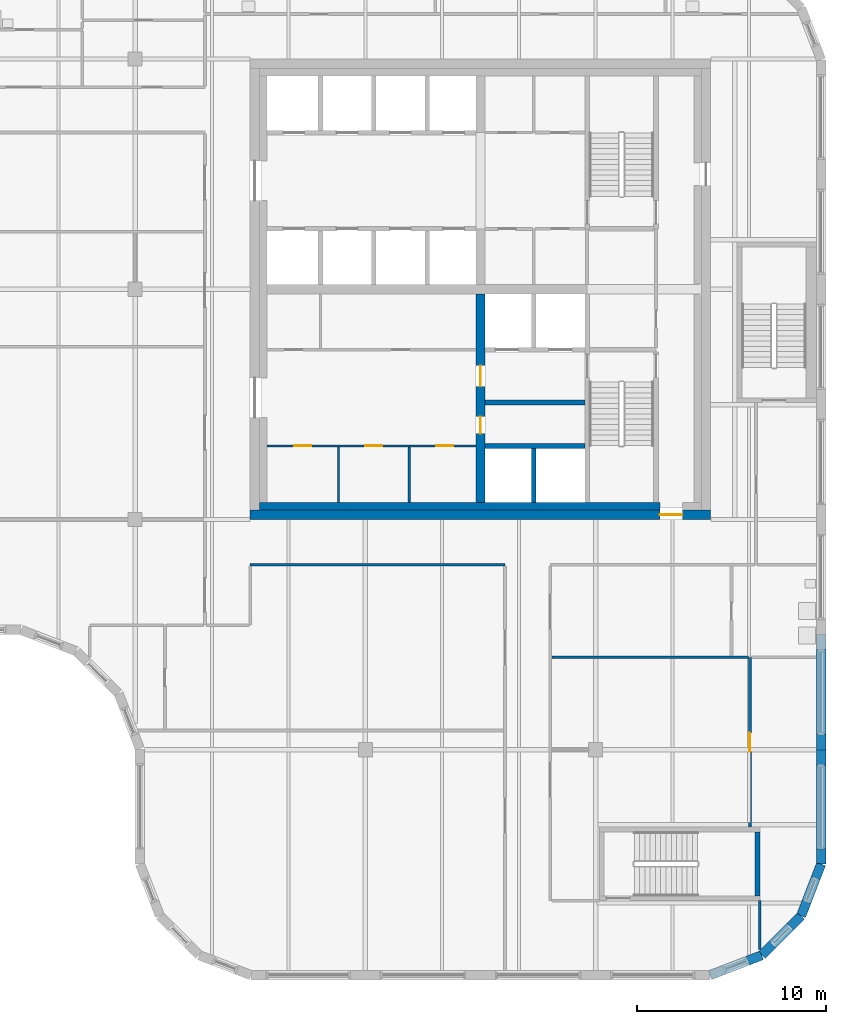
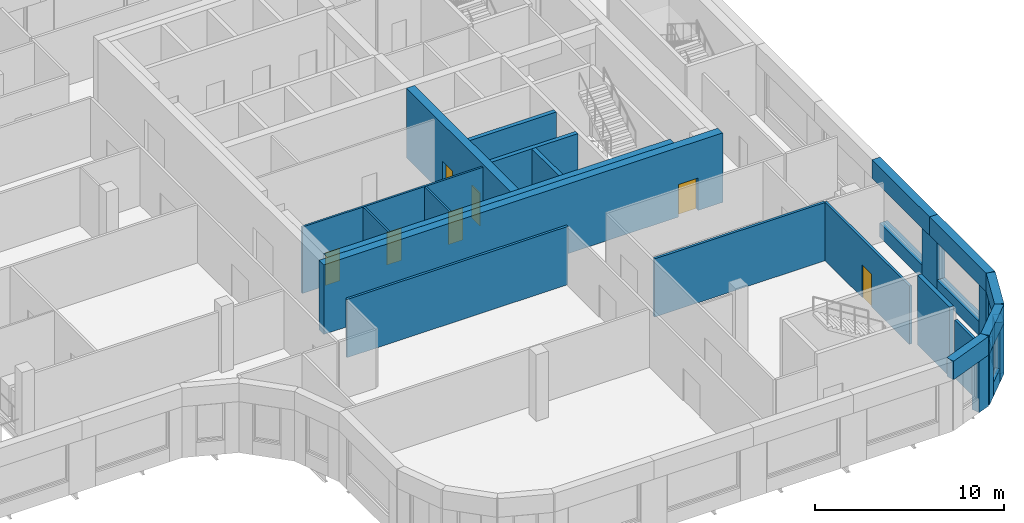
# One storey, part 12 of 21: 30 walls, 7 doors, 7 openings.
"""IFC4 building model written with IfcOpenShell, lengths in metres."""

from ifc_helpers import new_model, si_unit, direction, frame, frame_2d, origin, place, context, subcontext, project, spatial, polyline, rectangle, outline, extrude, faceted_brep, source, transform, mapped, material, layer, layer_set, type_object, element, fill, save


model = new_model("IFC4")

# Units and contexts
model_context = context("Model", 3, precision=1e-05, world=origin(), true_north=direction((0.0, 1.0)))
body_context = subcontext(model_context, "Body", "Model", "MODEL_VIEW")
ifc_project = project(units=[si_unit("LENGTHUNIT", "METRE"), si_unit("AREAUNIT", "SQUARE_METRE"), si_unit("VOLUMEUNIT", "CUBIC_METRE"), si_unit("PLANEANGLEUNIT", "RADIAN"), si_unit("MASSUNIT", "GRAM", prefix="KILO")], contexts=[model_context])

# Site, building, storey
site_placement = place(None, origin())
site = spatial("IfcSite", under=ifc_project, at=site_placement, CompositionType="ELEMENT")
building_placement = place(site_placement, origin())
building = spatial("IfcBuilding", under=site, at=building_placement, Name="Tessera Gate Towers", CompositionType="ELEMENT")
storey_placement = place(building_placement, frame((0.0, 0.0, 193.39990234375)))
storey = spatial("IfcBuildingStorey", under=building, at=storey_placement, Name="L48", CompositionType="ELEMENT", Elevation=193.39990234375)

# Walls
ifc_material_1 = material(Name="Concrete C40/50", Category="concrete")
ifc_layer_1 = layer(ifc_material_1, 0.25)
ifc_layer_set_1 = layer_set([ifc_layer_1], Name="CORE ENCLOSURE WALL 250")
wall_type_1 = type_object("IfcWallType", Name="CORE ENCLOSURE WALL 250", PredefinedType="SOLIDWALL", material=ifc_layer_set_1)
for number, where, z_axis, x_axis, name in (
    (1, (42.949951171875, 28.300048828125, 0.0), (0.0, 0.0, 1.0), (1.0, 0.0, 0.0), "L48 shaft and stair enclosure wall"),
    (2, (42.949951171875, 30.60009765625, 0.0), (0.0, 0.0, 1.0), (1.0, 0.0, 0.0), "L48 shaft and stair enclosure wall"),
):
    element("IfcWall", number, at=place(storey_placement, frame(where, z_axis=z_axis, x_axis=x_axis)), inside=storey, type_object=wall_type_1, Name=name, PredefinedType="SOLIDWALL", context=body_context, shape_type="SweptSolid", body=[
        extrude(rectangle(XDim=5.275146484375, YDim=0.25, at=frame_2d((2.6376953125, 0.0))), origin(), (0.0, 0.0, 1.0), 4.5),
    ])
wall_1_placement = place(storey_placement, frame((45.52490234375, 25.300048828125, 0.0), z_axis=(0.0, 0.0, 1.0), x_axis=(0.0, 1.0, 0.0)))
element("IfcWall", 3, at=wall_1_placement, inside=storey, type_object=wall_type_1, Name="L48 shaft and stair enclosure wall", PredefinedType="SOLIDWALL", context=body_context, shape_type="SweptSolid", body=[
    extrude(rectangle(XDim=2.875, YDim=0.25, at=frame_2d((1.4375, 0.0))), origin(), (0.0, 0.0, 1.0), 4.5),
])
wall_2_placement = place(storey_placement, frame((57.375, 7.85009765625, 0.0), z_axis=(0.0, 0.0, 1.0), x_axis=(0.0, -1.0, 0.0)))
element("IfcWall", 4, at=wall_2_placement, inside=storey, type_object=wall_type_1, Name="L48 ST4 enclosure wall", PredefinedType="SOLIDWALL", context=body_context, shape_type="SweptSolid", body=[
    extrude(rectangle(XDim=3.400146484375, YDim=0.25, at=frame_2d((1.7001953125, 0.0))), origin(), (0.0, 0.0, 1.0), 4.5),
])

# Wall, openings, doors
ifc_material_2 = material(Name="Gypsum board on steel studs", Category="steel")
ifc_layer_2 = layer(ifc_material_2, 0.1201171875)
ifc_layer_set_2 = layer_set([ifc_layer_2], Name="CORE PARTITION 120")
wall_type_2 = type_object("IfcWallType", Name="CORE PARTITION 120", PredefinedType="PARTITIONING", material=ifc_layer_set_2)
wall_3_placement = place(storey_placement, frame((42.449951171875, 28.300048828125, 0.0), z_axis=(0.0, 0.0, 1.0), x_axis=(-1.0, 0.0, 0.0)))
wall_3 = element("IfcWall", 5, at=wall_3_placement, inside=storey, type_object=wall_type_2, Name="L48 core partition", PredefinedType="PARTITIONING", context=body_context, shape_type="SweptSolid", body=[
    extrude(rectangle(XDim=11.050048828125, YDim=0.1201171875, at=frame_2d((5.52490234375, 0.0))), origin(), (0.0, 0.0, 1.0), 4.300048828125),
])
shared_shape_1 = source(origin(), body_context, "Body", "SweptSolid", [
    extrude(rectangle(XDim=0.89990234375, YDim=2.10009765625, at=frame_2d((0.449951171875, 1.050048828125))), frame((0.0, 0.070068359375, 0.0), z_axis=(0.0, -1.0, 0.0), x_axis=(1.0, 0.0, 0.0)), (0.0, 0.0, 1.0), 0.14013671875),
])
opening_1_placement = place(wall_3_placement, frame((8.71240234375, 0.0, 0.0)))
opening_1 = element("IfcOpeningElement", 6, at=opening_1_placement, cuts=wall_3, Name="Opening RD-T1-30-07", PredefinedType="OPENING", context=body_context, shape_type="MappedRepresentation", body=[
    mapped(shared_shape_1, transform((0.0, 0.0, 0.0), scale=1.0)),
])
opening_2_placement = place(wall_3_placement, frame((4.949951171875, 0.0, 0.0)))
opening_2 = element("IfcOpeningElement", 7, at=opening_2_placement, cuts=wall_3, Name="Opening RD-T1-30-08", PredefinedType="OPENING", context=body_context, shape_type="MappedRepresentation", body=[
    mapped(shared_shape_1, transform((0.0, 0.0, 0.0), scale=1.0)),
])
opening_3_placement = place(wall_3_placement, frame((1.1875, 0.0, 0.0)))
opening_3 = element("IfcOpeningElement", 8, at=opening_3_placement, cuts=wall_3, Name="Opening RD-T1-30-09", PredefinedType="OPENING", context=body_context, shape_type="MappedRepresentation", body=[
    mapped(shared_shape_1, transform((0.0, 0.0, 0.0), scale=1.0)),
])
ifc_material_3 = material(Name="Hollow steel fire door", Category="steel")
door_type_1 = type_object("IfcDoorType", Name="CORE DOOR RD 900x2100", OperationType="NOTDEFINED", PredefinedType="DOOR", material=ifc_material_3)
shared_shape_2 = source(origin(), body_context, "Body", "SweptSolid", [
    extrude(rectangle(XDim=0.89990234375, YDim=2.10009765625, at=frame_2d((0.449951171875, 1.050048828125))), frame((0.0, 0.02490234375, 0.0), z_axis=(0.0, -1.0, 0.0), x_axis=(1.0, 0.0, 0.0)), (0.0, 0.0, 1.0), 0.050048828125),
])
door_1_placement = place(opening_1_placement, origin())
door_1 = element("IfcDoor", 9, at=door_1_placement, inside=storey, type_object=door_type_1, Name="Core room door", OperationType="SINGLE_SWING_RIGHT", OverallHeight=2.10009765625, OverallWidth=0.89990234375, PredefinedType="DOOR", context=body_context, shape_type="MappedRepresentation", body=[
    mapped(shared_shape_2, transform((0.0, 0.0, 0.0), scale=1.0)),
])
fill(opening_1, door_1)
door_2_placement = place(opening_2_placement, origin())
door_2 = element("IfcDoor", 10, at=door_2_placement, inside=storey, type_object=door_type_1, Name="Core room door", OperationType="SINGLE_SWING_LEFT", OverallHeight=2.10009765625, OverallWidth=0.89990234375, PredefinedType="DOOR", context=body_context, shape_type="MappedRepresentation", body=[
    mapped(shared_shape_2, transform((0.0, 0.0, 0.0), scale=1.0)),
])
fill(opening_2, door_2)
door_3_placement = place(opening_3_placement, origin())
door_3 = element("IfcDoor", 11, at=door_3_placement, inside=storey, type_object=door_type_1, Name="Core room door", OperationType="SINGLE_SWING_LEFT", OverallHeight=2.10009765625, OverallWidth=0.89990234375, PredefinedType="DOOR", context=body_context, shape_type="MappedRepresentation", body=[
    mapped(shared_shape_2, transform((0.0, 0.0, 0.0), scale=1.0)),
])
fill(opening_3, door_3)

# Walls
for number, where, z_axis, x_axis, name in (
    (12, (35.175048828125, 25.300048828125, 0.0), (0.0, 0.0, 1.0), (0.0, 1.0, 0.0), "L48 core partition"),
    (13, (38.925048828125, 25.300048828125, 0.0), (0.0, 0.0, 1.0), (0.0, 1.0, 0.0), "L48 core partition"),
):
    element("IfcWall", number, at=place(storey_placement, frame(where, z_axis=z_axis, x_axis=x_axis)), inside=storey, type_object=wall_type_2, Name=name, PredefinedType="PARTITIONING", context=body_context, shape_type="SweptSolid", body=[
        extrude(rectangle(XDim=2.93994140625, YDim=0.1201171875, at=frame_2d((1.469970703125, 0.0))), origin(), (0.0, 0.0, 1.0), 4.300048828125),
    ])

# Wall, opening, door
ifc_material_4 = material(Name="Concrete C50/60", Category="concrete")
ifc_layer_3 = layer(ifc_material_4, 0.5)
ifc_layer_set_3 = layer_set([ifc_layer_3], Name="CORE SHEAR WALL 500 C50/60")
wall_type_3 = type_object("IfcWallType", Name="CORE SHEAR WALL 500 C50/60", PredefinedType="SHEAR", material=ifc_layer_set_3)
wall_4_placement = place(storey_placement, frame((54.89990234375, 24.64990234375, 0.0), z_axis=(0.0, 0.0, 1.0), x_axis=(-1.0, 0.0, 0.0)))
wall_4 = element("IfcWall", 14, at=wall_4_placement, inside=storey, type_object=wall_type_3, Name="Core wall S L48", PredefinedType="SHEAR", context=body_context, shape_type="SweptSolid", body=[
    extrude(rectangle(XDim=24.39990234375, YDim=0.5, at=frame_2d((12.199951171875, 0.0))), origin(), (0.0, 0.0, 1.0), 4.5),
])
shared_shape_3 = source(origin(), body_context, "Body", "SweptSolid", [
    extrude(rectangle(XDim=1.199951171875, YDim=2.10009765625, at=frame_2d((0.60009765625, 1.050048828125))), frame((0.0, 0.260009765625, 0.0), z_axis=(0.0, -1.0, 0.0), x_axis=(1.0, 0.0, 0.0)), (0.0, 0.0, 1.0), 0.52001953125),
])
opening_4_placement = place(wall_4_placement, frame((1.5, 0.0, 0.0)))
opening_4 = element("IfcOpeningElement", 15, at=opening_4_placement, cuts=wall_4, Name="Opening ED-T1-30-01", PredefinedType="OPENING", context=body_context, shape_type="MappedRepresentation", body=[
    mapped(shared_shape_3, transform((0.0, 0.0, 0.0), scale=1.0)),
])
ifc_material_5 = material(Name="Hollow steel fire door", Category="steel")
door_type_2 = type_object("IfcDoorType", Name="CORE DOOR ED 1200x2100", OperationType="NOTDEFINED", PredefinedType="DOOR", material=ifc_material_5)
shared_shape_4 = source(origin(), body_context, "Body", "SweptSolid", [
    extrude(rectangle(XDim=1.199951171875, YDim=2.10009765625, at=frame_2d((0.60009765625, 1.050048828125))), frame((0.0, 0.02490234375, 0.0), z_axis=(0.0, -1.0, 0.0), x_axis=(1.0, 0.0, 0.0)), (0.0, 0.0, 1.0), 0.050048828125),
])
door_4_placement = place(opening_4_placement, origin())
door_4 = element("IfcDoor", 16, at=door_4_placement, inside=storey, type_object=door_type_2, Name="Core exit door", OperationType="SINGLE_SWING_LEFT", OverallHeight=2.10009765625, OverallWidth=1.199951171875, PredefinedType="DOOR", context=body_context, shape_type="MappedRepresentation", body=[
    mapped(shared_shape_4, transform((0.0, 0.0, 0.0), scale=1.0)),
])
fill(opening_4, door_4)

# Wall, openings, doors
ifc_material_6 = material(Name="Concrete C50/60", Category="concrete")
ifc_layer_4 = layer(ifc_material_6, 0.5)
ifc_layer_set_4 = layer_set([ifc_layer_4], Name="CORE SPINE WALL 500 C50/60")
wall_type_4 = type_object("IfcWallType", Name="CORE SPINE WALL 500 C50/60", PredefinedType="SHEAR", material=ifc_layer_set_4)
wall_5_placement = place(storey_placement, frame((42.699951171875, 36.35009765625, 0.0), z_axis=(0.0, 0.0, 1.0), x_axis=(0.0, -1.0, 0.0)))
wall_5 = element("IfcWall", 17, at=wall_5_placement, inside=storey, type_object=wall_type_4, Name="Core wall spine L48", PredefinedType="SHEAR", context=body_context, shape_type="SweptSolid", body=[
    extrude(rectangle(XDim=11.050048828125, YDim=0.5, at=frame_2d((5.52490234375, 0.0))), origin(), (0.0, 0.0, 1.0), 4.5),
])
shared_shape_5 = source(origin(), body_context, "Body", "SweptSolid", [
    extrude(rectangle(XDim=0.89990234375, YDim=2.10009765625, at=frame_2d((0.449951171875, 1.050048828125))), frame((0.0, 0.260009765625, 0.0), z_axis=(0.0, -1.0, 0.0), x_axis=(1.0, 0.0, 0.0)), (0.0, 0.0, 1.0), 0.52001953125),
])
opening_5_placement = place(wall_5_placement, frame((6.5, 0.0, 0.0)))
opening_5 = element("IfcOpeningElement", 18, at=opening_5_placement, cuts=wall_5, Name="Opening RD-T1-30-05", PredefinedType="OPENING", context=body_context, shape_type="MappedRepresentation", body=[
    mapped(shared_shape_5, transform((0.0, 0.0, 0.0), scale=1.0)),
])
shared_shape_6 = source(origin(), body_context, "Body", "SweptSolid", [
    extrude(rectangle(XDim=1.10009765625, YDim=2.10009765625, at=frame_2d((0.550048828125, 1.050048828125))), frame((0.0, 0.260009765625, 0.0), z_axis=(0.0, -1.0, 0.0), x_axis=(1.0, 0.0, 0.0)), (0.0, 0.0, 1.0), 0.52001953125),
])
opening_6_placement = place(wall_5_placement, frame((3.800048828125, 0.0, 0.0)))
opening_6 = element("IfcOpeningElement", 19, at=opening_6_placement, cuts=wall_5, Name="Opening FD-T1-30-06", PredefinedType="OPENING", context=body_context, shape_type="MappedRepresentation", body=[
    mapped(shared_shape_6, transform((0.0, 0.0, 0.0), scale=1.0)),
])
door_5_placement = place(opening_5_placement, origin())
door_5 = element("IfcDoor", 20, at=door_5_placement, inside=storey, type_object=door_type_1, Name="Core room door", OperationType="SINGLE_SWING_RIGHT", OverallHeight=2.10009765625, OverallWidth=0.89990234375, PredefinedType="DOOR", context=body_context, shape_type="MappedRepresentation", body=[
    mapped(shared_shape_2, transform((0.0, 0.0, 0.0), scale=1.0)),
])
fill(opening_5, door_5)
ifc_material_7 = material(Name="Hollow steel fire door", Category="steel")
door_type_3 = type_object("IfcDoorType", Name="CORE DOOR FD 1100x2100", OperationType="NOTDEFINED", PredefinedType="DOOR", material=ifc_material_7)
shared_shape_7 = source(origin(), body_context, "Body", "SweptSolid", [
    extrude(rectangle(XDim=1.10009765625, YDim=2.10009765625, at=frame_2d((0.550048828125, 1.050048828125))), frame((0.0, 0.02490234375, 0.0), z_axis=(0.0, -1.0, 0.0), x_axis=(1.0, 0.0, 0.0)), (0.0, 0.0, 1.0), 0.050048828125),
])
door_6_placement = place(opening_6_placement, origin())
door_6 = element("IfcDoor", 21, at=door_6_placement, inside=storey, type_object=door_type_3, Name="Fire-fighting lobby door", OperationType="SINGLE_SWING_LEFT", OverallHeight=2.10009765625, OverallWidth=1.10009765625, PredefinedType="DOOR", context=body_context, shape_type="MappedRepresentation", body=[
    mapped(shared_shape_7, transform((0.0, 0.0, 0.0), scale=1.0)),
])
fill(opening_6, door_6)

# Walls
ifc_material_8 = material(Name="Concrete C50/60", Category="concrete")
ifc_layer_5 = layer(ifc_material_8, 0.39990234375)
ifc_layer_set_5 = layer_set([ifc_layer_5], Name="CORE WALL THICKENING 400")
wall_type_5 = type_object("IfcWallType", Name="CORE WALL THICKENING 400", PredefinedType="SOLIDWALL", material=ifc_layer_set_5)
wall_6_placement = place(storey_placement, frame((31.0, 25.10009765625, 0.0), z_axis=(0.0, 0.0, 1.0), x_axis=(1.0, 0.0, 0.0)))
element("IfcWall", 22, at=wall_6_placement, inside=storey, type_object=wall_type_5, Name="Core wall thickening S L48", PredefinedType="SOLIDWALL", context=body_context, shape_type="SweptSolid", body=[
    extrude(rectangle(XDim=21.199951171875, YDim=0.39990234375, at=frame_2d((10.60009765625, 0.0))), origin(), (0.0, 0.0, 1.0), 4.5),
])
ifc_material_9 = material(Name="Gypsum board on steel studs, mineral wool", Category="steel")
ifc_layer_6 = layer(ifc_material_9, 0.14990234375)
ifc_layer_set_6 = layer_set([ifc_layer_6], Name="CORRIDOR WALL 150")
wall_type_6 = type_object("IfcWallType", Name="CORRIDOR WALL 150", PredefinedType="PARTITIONING", material=ifc_layer_set_6)
wall_7_placement = place(storey_placement, frame((57.5, 1.609130859375, 0.0), z_axis=(0.0, 0.0, 1.0), x_axis=(0.0, 1.0, 0.0)))
element("IfcWall", 23, at=wall_7_placement, inside=storey, type_object=wall_type_6, Name="T1-L48-PW-002", PredefinedType="PARTITIONING", context=body_context, shape_type="SweptSolid", body=[
    extrude(rectangle(XDim=2.5908203125, YDim=0.14990234375, at=frame_2d((1.29541015625, 0.0))), origin(), (0.0, 0.0, 1.0), 3.76708984375),
])
wall_8_placement = place(storey_placement, frame((30.5, 22.0, 0.0), z_axis=(0.0, 0.0, 1.0), x_axis=(1.0, 0.0, 0.0)))
element("IfcWall", 24, at=wall_8_placement, inside=storey, type_object=wall_type_6, Name="T1-L48-PW-019", PredefinedType="PARTITIONING", context=body_context, shape_type="SweptSolid", body=[
    extrude(rectangle(XDim=13.5, YDim=0.14990234375, at=frame_2d((6.75, 0.0))), origin(), (0.0, 0.0, 1.0), 3.76708984375),
])

# Wall, opening, door
ifc_material_10 = material(Name="Gypsum board on steel studs, mineral wool", Category="steel")
ifc_layer_7 = layer(ifc_material_10, 0.14990234375)
ifc_layer_set_7 = layer_set([ifc_layer_7], Name="TENANCY WALL 150")
wall_type_7 = type_object("IfcWallType", Name="TENANCY WALL 150", PredefinedType="PARTITIONING", material=ifc_layer_set_7)
wall_9_placement = place(storey_placement, frame((56.97509765625, 17.10009765625, 0.0), z_axis=(0.0, 0.0, 1.0), x_axis=(0.0, -1.0, 0.0)))
wall_9 = element("IfcWall", 25, at=wall_9_placement, inside=storey, type_object=wall_type_7, Name="T1-L48-PW-005", PredefinedType="PARTITIONING", context=body_context, shape_type="SweptSolid", body=[
    extrude(rectangle(XDim=9.0, YDim=0.14990234375, at=frame_2d((4.5, 0.0))), origin(), (0.0, 0.0, 1.0), 3.76708984375),
])
shared_shape_8 = source(origin(), body_context, "Body", "SweptSolid", [
    extrude(rectangle(XDim=1.0, YDim=2.10009765625, at=frame_2d((0.5, 1.050048828125))), frame((0.0, 0.0849609375, 0.0), z_axis=(0.0, -1.0, 0.0), x_axis=(1.0, 0.0, 0.0)), (0.0, 0.0, 1.0), 0.169921875),
])
opening_7_placement = place(wall_9_placement, frame((4.0, 0.0, 0.0)))
opening_7 = element("IfcOpeningElement", 26, at=opening_7_placement, cuts=wall_9, Name="Opening D1100-A35-05", PredefinedType="OPENING", context=body_context, shape_type="MappedRepresentation", body=[
    mapped(shared_shape_8, transform((0.0, 0.0, 0.0), scale=1.0)),
])
ifc_material_11 = material(Name="Timber door leaf in steel frame", Category="steel")
door_type_4 = type_object("IfcDoorType", Name="INTERNAL DOOR 1000 NOT RATED", OperationType="NOTDEFINED", PredefinedType="DOOR", material=ifc_material_11)
shared_shape_9 = source(origin(), body_context, "Body", "SweptSolid", [
    extrude(rectangle(XDim=1.0, YDim=2.10009765625, at=frame_2d((0.5, 1.050048828125))), frame((0.0, 0.02490234375, 0.0), z_axis=(0.0, -1.0, 0.0), x_axis=(1.0, 0.0, 0.0)), (0.0, 0.0, 1.0), 0.050048828125),
])
door_7_placement = place(opening_7_placement, origin())
door_7 = element("IfcDoor", 27, at=door_7_placement, inside=storey, type_object=door_type_4, Name="T1-L48-PD-023", OperationType="SINGLE_SWING_RIGHT", OverallHeight=2.10009765625, OverallWidth=1.0, PredefinedType="DOOR", context=body_context, shape_type="MappedRepresentation", body=[
    mapped(shared_shape_9, transform((0.0, 0.0, 0.0), scale=1.0)),
])
fill(opening_7, door_7)

# Walls
wall_10_placement = place(storey_placement, frame((46.47607421875, 17.10009765625, 0.0), z_axis=(0.0, 0.0, 1.0), x_axis=(1.0, 0.0, 0.0)))
element("IfcWall", 28, at=wall_10_placement, inside=storey, type_object=wall_type_7, Name="T1-L48-PW-010", PredefinedType="PARTITIONING", context=body_context, shape_type="SweptSolid", body=[
    extrude(rectangle(XDim=10.4228515625, YDim=0.14990234375, at=frame_2d((5.21142578125, 0.0))), origin(), (0.0, 0.0, 1.0), 3.76708984375),
])
ifc_material_12 = material(Name="Precast concrete C60/75 white", Category="concrete")
ifc_layer_8 = layer(ifc_material_12, 0.5)
ifc_layer_set_8 = layer_set([ifc_layer_8], Name="RB1 ring band panel")
wall_type_8 = type_object("IfcWallType", Name="RB1 ring band panel", PredefinedType="SOLIDWALL", material=ifc_layer_set_8)
shared_shape_10 = source(origin(), body_context, "Body", "Brep", [
    faceted_brep([(0.0, -0.25, 0.0), (0.800048828125, -0.25, 0.0), (0.800048828125, -0.25, 3.300048828125), (0.0, -0.25, 3.300048828125), (0.046630859375, 0.25, 3.300048828125), (0.800048828125, 0.25, 3.300048828125), (0.800048828125, 0.25, 0.0), (0.046630859375, 0.25, 0.0), (0.0, 0.0, 0.0), (0.0, 0.0, 3.300048828125)], [[[0, 1, 2, 3]], [[4, 5, 6, 7]], [[7, 6, 1, 0, 8]], [[5, 4, 9, 3, 2]], [[8, 0, 3, 9]], [[7, 8, 9, 4]], [[1, 6, 5, 2]]]),
])
wall_11_placement = place(storey_placement, frame((60.75, 6.146484375, 0.0), z_axis=(0.0, 0.0, 1.0), x_axis=(0.0, 1.0, 0.0)))
element("IfcWall", 29, at=wall_11_placement, inside=storey, type_object=wall_type_8, Name="Ring band panel T1 RB1-0280", PredefinedType="SOLIDWALL", context=body_context, shape_type="MappedRepresentation", body=[
    mapped(shared_shape_10, transform((0.0, 0.0, 0.0), scale=1.0)),
])
shared_shape_11 = source(origin(), body_context, "Body", "SweptSolid", [
    extrude(outline(polyline([(0.0, 0.0), (1.60009765625, 0.0), (1.60009765625, 3.300048828125), (0.0, 3.300048828125), (0.0, 0.0)])), frame((0.0, 0.25, 0.0), z_axis=(0.0, -1.0, 0.0), x_axis=(1.0, 0.0, 0.0)), (0.0, 0.0, 1.0), 0.5),
])
wall_12_placement = place(storey_placement, frame((60.75, 11.39990234375, 0.0), z_axis=(0.0, 0.0, 1.0), x_axis=(0.0, 1.0, 0.0)))
element("IfcWall", 30, at=wall_12_placement, inside=storey, type_object=wall_type_8, Name="Ring band panel T1 RB1-0281", PredefinedType="SOLIDWALL", context=body_context, shape_type="MappedRepresentation", body=[
    mapped(shared_shape_11, transform((0.0, 0.0, 0.0), scale=1.0)),
])
shared_shape_12 = source(origin(), body_context, "Body", "SweptSolid", [
    extrude(outline(polyline([(0.0, 0.0), (4.453369140625, 0.0), (4.453369140625, 0.900146484375), (0.0, 0.900146484375), (0.0, 0.0)])), frame((0.0, 0.25, 0.0), z_axis=(0.0, -1.0, 0.0), x_axis=(1.0, 0.0, 0.0)), (0.0, 0.0, 1.0), 0.5),
])
wall_13_placement = place(storey_placement, frame((60.75, 6.946533203125, 0.0), z_axis=(0.0, 0.0, 1.0), x_axis=(0.0, 1.0, 0.0)))
element("IfcWall", 31, at=wall_13_placement, inside=storey, type_object=wall_type_8, Name="Ring band panel T1 RB1-0288", PredefinedType="SOLIDWALL", context=body_context, shape_type="MappedRepresentation", body=[
    mapped(shared_shape_12, transform((0.0, 0.0, 0.0), scale=1.0)),
])
shared_shape_13 = source(origin(), body_context, "Body", "Brep", [
    faceted_brep([(0.0, -0.25, 0.0), (6.053466796875, -0.25, 0.0), (6.053466796875, -0.25, 1.199951171875), (0.0, -0.25, 1.199951171875), (0.046630859375, 0.25, 1.199951171875), (6.053466796875, 0.25, 1.199951171875), (6.053466796875, 0.25, 0.0), (0.046630859375, 0.25, 0.0), (0.0, 0.0, 0.0), (0.0, 0.0, 1.199951171875)], [[[0, 1, 2, 3]], [[4, 5, 6, 7]], [[7, 6, 1, 0, 8]], [[5, 4, 9, 3, 2]], [[8, 0, 3, 9]], [[7, 8, 9, 4]], [[1, 6, 5, 2]]]),
])
wall_14_placement = place(storey_placement, frame((60.75, 6.146484375, 3.300048828125), z_axis=(0.0, 0.0, 1.0), x_axis=(0.0, 1.0, 0.0)))
element("IfcWall", 32, at=wall_14_placement, inside=storey, type_object=wall_type_8, Name="Ring band panel T1 RB1-0289", PredefinedType="SOLIDWALL", context=body_context, shape_type="MappedRepresentation", body=[
    mapped(shared_shape_13, transform((0.0, 0.0, 0.0), scale=1.0)),
])
shared_shape_14 = source(origin(), body_context, "Body", "SweptSolid", [
    extrude(outline(polyline([(0.0, 0.0), (4.5, 0.0), (4.5, 0.900146484375), (0.0, 0.900146484375), (0.0, 0.0)])), frame((0.0, 0.25, 0.0), z_axis=(0.0, -1.0, 0.0), x_axis=(1.0, 0.0, 0.0)), (0.0, 0.0, 1.0), 0.5),
])
wall_15_placement = place(storey_placement, frame((60.75, 13.0, 0.0), z_axis=(0.0, 0.0, 1.0), x_axis=(0.0, 1.0, 0.0)))
element("IfcWall", 33, at=wall_15_placement, inside=storey, type_object=wall_type_8, Name="Ring band panel T1 RB1-0290", PredefinedType="SOLIDWALL", context=body_context, shape_type="MappedRepresentation", body=[
    mapped(shared_shape_14, transform((0.0, 0.0, 0.0), scale=1.0)),
])
shared_shape_15 = source(origin(), body_context, "Body", "SweptSolid", [
    extrude(outline(polyline([(0.0, 0.0), (6.10009765625, 0.0), (6.10009765625, 1.199951171875), (0.0, 1.199951171875), (0.0, 0.0)])), frame((0.0, 0.25, 0.0), z_axis=(0.0, -1.0, 0.0), x_axis=(1.0, 0.0, 0.0)), (0.0, 0.0, 1.0), 0.5),
])
wall_16_placement = place(storey_placement, frame((60.75, 12.199951171875, 3.300048828125), z_axis=(0.0, 0.0, 1.0), x_axis=(0.0, 1.0, 0.0)))
element("IfcWall", 34, at=wall_16_placement, inside=storey, type_object=wall_type_8, Name="Ring band panel T1 RB1-0291", PredefinedType="SOLIDWALL", context=body_context, shape_type="MappedRepresentation", body=[
    mapped(shared_shape_15, transform((0.0, 0.0, 0.0), scale=1.0)),
])
shared_shape_16 = source(origin(), body_context, "Body", "Brep", [
    faceted_brep([(0.0, -0.25, 0.0), (0.800048828125, -0.25, 0.0), (0.800048828125, -0.25, 3.300048828125), (0.0, -0.25, 3.300048828125), (0.0, 0.25, 3.300048828125), (0.7470703125, 0.25, 3.300048828125), (0.7470703125, 0.25, 0.0), (0.0, 0.25, 0.0), (0.800048828125, -0.000244140625, 0.0), (0.800048828125, -0.000244140625, 3.300048828125)], [[[0, 1, 2, 3]], [[4, 5, 6, 7]], [[7, 6, 8, 1, 0]], [[9, 2, 1, 8]], [[5, 4, 3, 2, 9]], [[4, 7, 0, 3]], [[8, 6, 5, 9]]]),
])
for number, where, z_axis, x_axis, name in (
    (35, (56.85986328125, 1.02392578125, 0.0), (0.0, 0.0, 1.0), (0.932912338632, 0.360103552367, 0.0), "Ring band panel T1 RB1-0269"),
    (36, (59.122314453125, 2.828125, 0.0), (0.0, 0.0, 1.0), (0.707259322823, 0.706954206636, 0.0), "Ring band panel T1 RB1-0273"),
):
    element("IfcWall", number, at=place(storey_placement, frame(where, z_axis=z_axis, x_axis=x_axis)), inside=storey, type_object=wall_type_8, Name=name, PredefinedType="SOLIDWALL", context=body_context, shape_type="MappedRepresentation", body=[
        mapped(shared_shape_16, transform((0.0, 0.0, 0.0), scale=1.0)),
    ])
shared_shape_17 = source(origin(), body_context, "Body", "SweptSolid", [
    extrude(outline(polyline([(0.0, 0.0), (1.3505859375, 0.0), (1.3505859375, 0.900146484375), (0.0, 0.900146484375), (0.0, 0.0)])), frame((0.0, 0.25, 0.0), z_axis=(0.0, -1.0, 0.0), x_axis=(1.0, 0.0, 0.0)), (0.0, 0.0, 1.0), 0.5),
])
wall_17_placement = place(storey_placement, frame((59.97607421875, 4.14013671875, 0.0), z_axis=(0.0, 0.0, 1.0), x_axis=(0.359923772835, 0.932981713512, 0.0)))
element("IfcWall", 37, at=wall_17_placement, inside=storey, type_object=wall_type_8, Name="Ring band panel T1 RB1-0278", PredefinedType="SOLIDWALL", context=body_context, shape_type="MappedRepresentation", body=[
    mapped(shared_shape_17, transform((0.0, 0.0, 0.0), scale=1.0)),
])
shared_shape_18 = source(origin(), body_context, "Body", "Brep", [
    faceted_brep([(0.0, -0.25, 0.0), (2.950439453125, -0.25, 0.0), (2.950439453125, -0.25, 1.199951171875), (0.0, -0.25, 1.199951171875), (0.046630859375, 0.25, 1.199951171875), (2.897705078125, 0.25, 1.199951171875), (2.897705078125, 0.25, 0.0), (0.046630859375, 0.25, 0.0), (2.950439453125, 0.00048828125, 0.0), (0.0, 0.0, 0.0), (2.950439453125, 0.00048828125, 1.199951171875), (0.0, 0.0, 1.199951171875)], [[[0, 1, 2, 3]], [[4, 5, 6, 7]], [[7, 6, 8, 1, 0, 9]], [[10, 2, 1, 8]], [[5, 4, 11, 3, 2, 10]], [[9, 0, 3, 11]], [[7, 9, 11, 4]], [[8, 6, 5, 10]]]),
])
wall_18_placement = place(storey_placement, frame((54.853515625, 0.25, 3.300048828125), z_axis=(0.0, 0.0, 1.0), x_axis=(0.932999673775, 0.359877213415, 0.0)))
element("IfcWall", 38, at=wall_18_placement, inside=storey, type_object=wall_type_8, Name="Ring band panel T1 RB1-0271", PredefinedType="SOLIDWALL", context=body_context, shape_type="MappedRepresentation", body=[
    mapped(shared_shape_18, transform((0.0, 0.0, 0.0), scale=1.0)),
])
shared_shape_19 = source(origin(), body_context, "Body", "Brep", [
    faceted_brep([(0.0, -0.25, 0.0), (0.800048828125, -0.25, 0.0), (0.800048828125, -0.25, 3.300048828125), (0.0, -0.25, 3.300048828125), (0.052978515625, 0.25, 3.300048828125), (0.800048828125, 0.25, 3.300048828125), (0.800048828125, 0.25, 0.0), (0.052978515625, 0.25, 0.0), (0.0, 0.0, 0.0), (0.0, 0.0, 3.300048828125)], [[[0, 1, 2, 3]], [[4, 5, 6, 7]], [[7, 6, 1, 0, 8]], [[5, 4, 9, 3, 2]], [[8, 0, 3, 9]], [[7, 8, 9, 4]], [[1, 6, 5, 2]]]),
])
for number, where, z_axis, x_axis, name in (
    (39, (57.606201171875, 1.31201171875, 0.0), (0.0, 0.0, 1.0), (0.707106781187, 0.707106781187, 0.0), "Ring band panel T1 RB1-0272"),
    (40, (59.68798828125, 3.393798828125, 0.0), (0.0, 0.0, 1.0), (0.360103552367, 0.932912338632, 0.0), "Ring band panel T1 RB1-0276"),
):
    element("IfcWall", number, at=place(storey_placement, frame(where, z_axis=z_axis, x_axis=x_axis)), inside=storey, type_object=wall_type_8, Name=name, PredefinedType="SOLIDWALL", context=body_context, shape_type="MappedRepresentation", body=[
        mapped(shared_shape_19, transform((0.0, 0.0, 0.0), scale=1.0)),
    ])
shared_shape_20 = source(origin(), body_context, "Body", "SweptSolid", [
    extrude(outline(polyline([(0.0, 0.0), (1.34423828125, 0.0), (1.34423828125, 0.900146484375), (0.0, 0.900146484375), (0.0, 0.0)])), frame((0.0, 0.25, 0.0), z_axis=(0.0, -1.0, 0.0), x_axis=(1.0, 0.0, 0.0)), (0.0, 0.0, 1.0), 0.5),
])
wall_19_placement = place(storey_placement, frame((58.171875, 1.877685546875, 0.0), z_axis=(0.0, 0.0, 1.0), x_axis=(0.707106781187, 0.707106781187, 0.0)))
element("IfcWall", 41, at=wall_19_placement, inside=storey, type_object=wall_type_8, Name="Ring band panel T1 RB1-0274", PredefinedType="SOLIDWALL", context=body_context, shape_type="MappedRepresentation", body=[
    mapped(shared_shape_20, transform((0.0, 0.0, 0.0), scale=1.0)),
])
shared_shape_21 = source(origin(), body_context, "Body", "Brep", [
    faceted_brep([(0.0, -0.25, 0.0), (2.944091796875, -0.25, 0.0), (2.944091796875, -0.25, 1.199951171875), (0.0, -0.25, 1.199951171875), (0.052978515625, 0.25, 1.199951171875), (2.89111328125, 0.25, 1.199951171875), (2.89111328125, 0.25, 0.0), (0.052978515625, 0.25, 0.0), (2.944091796875, 0.000244140625, 0.0), (0.0, 0.0, 0.0), (2.944091796875, 0.000244140625, 1.199951171875), (0.0, 0.0, 1.199951171875)], [[[0, 1, 2, 3]], [[4, 5, 6, 7]], [[7, 6, 8, 1, 0, 9]], [[10, 2, 1, 8]], [[5, 4, 11, 3, 2, 10]], [[9, 0, 3, 11]], [[7, 9, 11, 4]], [[8, 6, 5, 10]]]),
])
wall_20_placement = place(storey_placement, frame((57.606201171875, 1.31201171875, 3.300048828125), z_axis=(0.0, 0.0, 1.0), x_axis=(0.707106781187, 0.707106781187, 0.0)))
element("IfcWall", 42, at=wall_20_placement, inside=storey, type_object=wall_type_8, Name="Ring band panel T1 RB1-0275", PredefinedType="SOLIDWALL", context=body_context, shape_type="MappedRepresentation", body=[
    mapped(shared_shape_21, transform((0.0, 0.0, 0.0), scale=1.0)),
])
shared_shape_22 = source(origin(), body_context, "Body", "Brep", [
    faceted_brep([(0.0, -0.25, 0.0), (0.800048828125, -0.25, 0.0), (0.800048828125, -0.25, 3.300048828125), (0.0, -0.25, 3.300048828125), (0.0, 0.25, 3.300048828125), (0.75341796875, 0.25, 3.300048828125), (0.75341796875, 0.25, 0.0), (0.0, 0.25, 0.0), (0.800048828125, -0.000244140625, 0.0), (0.800048828125, -0.000244140625, 3.300048828125)], [[[0, 1, 2, 3]], [[4, 5, 6, 7]], [[7, 6, 8, 1, 0]], [[9, 2, 1, 8]], [[5, 4, 3, 2, 9]], [[4, 7, 0, 3]], [[8, 6, 5, 9]]]),
])
wall_21_placement = place(storey_placement, frame((60.462158203125, 5.400146484375, 0.0), z_axis=(0.0, 0.0, 1.0), x_axis=(0.3598379092, 0.93301483327, 0.0)))
element("IfcWall", 43, at=wall_21_placement, inside=storey, type_object=wall_type_8, Name="Ring band panel T1 RB1-0277", PredefinedType="SOLIDWALL", context=body_context, shape_type="MappedRepresentation", body=[
    mapped(shared_shape_22, transform((0.0, 0.0, 0.0), scale=1.0)),
])
shared_shape_23 = source(origin(), body_context, "Body", "Brep", [
    faceted_brep([(0.0, -0.25, 0.0), (2.950439453125, -0.25, 0.0), (2.950439453125, -0.25, 1.199951171875), (0.0, -0.25, 1.199951171875), (0.052978515625, 0.25, 1.199951171875), (2.904052734375, 0.25, 1.199951171875), (2.904052734375, 0.25, 0.0), (0.052978515625, 0.25, 0.0), (2.950439453125, 0.00048828125, 0.0), (0.0, 0.0, 0.0), (2.950439453125, 0.00048828125, 1.199951171875), (0.0, 0.0, 1.199951171875)], [[[0, 1, 2, 3]], [[4, 5, 6, 7]], [[7, 6, 8, 1, 0, 9]], [[10, 2, 1, 8]], [[5, 4, 11, 3, 2, 10]], [[9, 0, 3, 11]], [[7, 9, 11, 4]], [[8, 6, 5, 10]]]),
])
wall_22_placement = place(storey_placement, frame((59.68798828125, 3.393798828125, 3.300048828125), z_axis=(0.0, 0.0, 1.0), x_axis=(0.359949242603, 0.932971887438, 0.0)))
element("IfcWall", 44, at=wall_22_placement, inside=storey, type_object=wall_type_8, Name="Ring band panel T1 RB1-0279", PredefinedType="SOLIDWALL", context=body_context, shape_type="MappedRepresentation", body=[
    mapped(shared_shape_23, transform((0.0, 0.0, 0.0), scale=1.0)),
])

save(model, "model.ifc")
